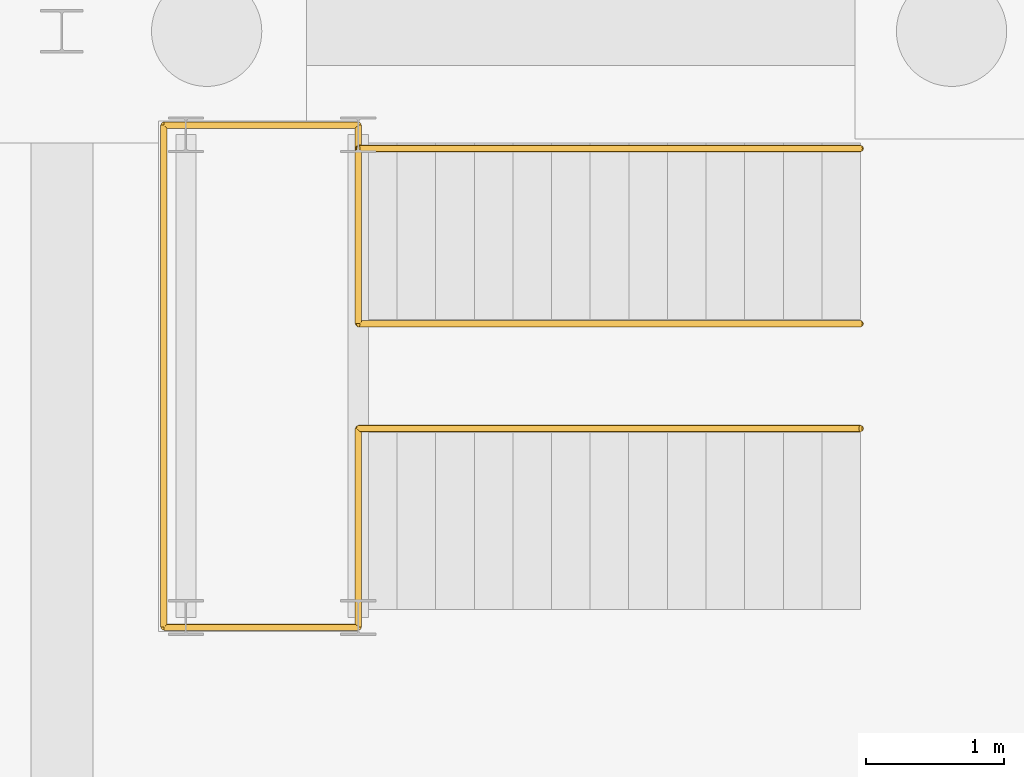
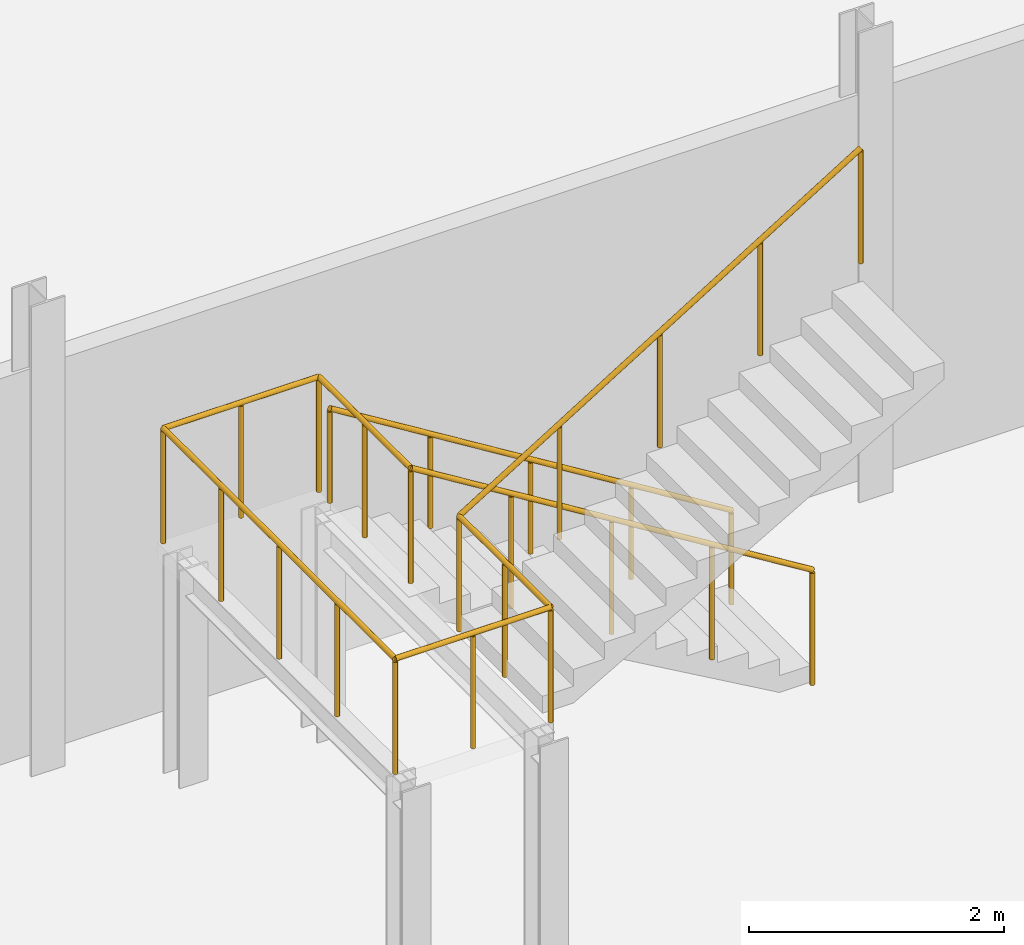
# One storey, part 134 of 136: 2 railings.
"""IFC4 building model written with IfcOpenShell, lengths in metres."""

from ifc_helpers import new_model, si_unit, direction, frame, origin, origin_2d, place, context, subcontext, project, spatial, circle, extrude, material, type_object, element, save


model = new_model("IFC4")

# Units and contexts
model_context = context("Model", 3, precision=1e-05, world=origin(), true_north=direction((0.0, 1.0)))
body_context = subcontext(model_context, "Body", "Model", "MODEL_VIEW")
ifc_project = project(units=[si_unit("LENGTHUNIT", "METRE"), si_unit("AREAUNIT", "SQUARE_METRE"), si_unit("VOLUMEUNIT", "CUBIC_METRE"), si_unit("PLANEANGLEUNIT", "RADIAN"), si_unit("MASSUNIT", "GRAM", prefix="KILO")], contexts=[model_context])

# Site, building, storey
site_placement = place(None, origin())
site = spatial("IfcSite", under=ifc_project, at=site_placement, CompositionType="ELEMENT")
building_placement = place(site_placement, origin())
building = spatial("IfcBuilding", under=site, at=building_placement, Name="Solvenia Promenade Tram Depot", CompositionType="ELEMENT")
storey_placement = place(building_placement, origin())
storey = spatial("IfcBuildingStorey", under=building, at=storey_placement, Name="L00", CompositionType="ELEMENT", Elevation=0.0)

# Railings
ifc_material = material(Name="Anodized aluminium AW-6063 T6", Category="aluminium")
railing_type_1 = type_object("IfcRailingType", Name="Guard-Stair-1100", PredefinedType="GUARDRAIL", material=ifc_material)
railing_1_placement = place(storey_placement, frame((133.2900390625, 75.8798828125, 0.0)))
element("IfcRailing", 1, at=railing_1_placement, inside=storey, type_object=railing_type_1, Name="Gallery Flight and Half-Landing Guard ST-GAL-02", PredefinedType="GUARDRAIL", context=body_context, shape_type="SweptSolid", body=[
    extrude(circle(Radius=0.02392578125, at=origin_2d()), frame((0.0, 0.0, 1.09619140625), z_axis=(-0.850622404505, 0.0, 0.525777067734), x_axis=(0.0, -1.0, 0.0)), (0.0, 0.0, 1.0), 4.279296875),
    extrude(circle(Radius=0.02392578125, at=origin_2d()), frame((-3.64013671875, 0.0, 3.34619140625), z_axis=(0.0, 1.0, 0.0), x_axis=(-1.0, 0.0, 0.0)), (0.0, 0.0, 1.0), 1.440185546875),
    extrude(circle(Radius=0.02392578125, at=origin_2d()), frame((-3.64013671875, 1.440185546875, 3.34619140625), z_axis=(-1.0, 0.0, 0.0), x_axis=(0.0, -1.0, 0.0)), (0.0, 0.0, 1.0), 1.409912109375),
    extrude(circle(Radius=0.02392578125, at=origin_2d()), frame((-5.050048828125, 1.440185546875, 3.34619140625), z_axis=(0.0, -1.0, 0.0), x_axis=(1.0, 0.0, 0.0)), (0.0, 0.0, 1.0), 3.64013671875),
    extrude(circle(Radius=0.02392578125, at=origin_2d()), frame((-5.050048828125, -2.199951171875, 3.34619140625), z_axis=(1.0, 0.0, 0.0), x_axis=(0.0, 1.0, 0.0)), (0.0, 0.0, 1.0), 1.409912109375),
    extrude(circle(Radius=0.02392578125, at=origin_2d()), frame((-3.64013671875, -2.199951171875, 3.34619140625), z_axis=(0.0, 1.0, 0.0), x_axis=(-1.0, 0.0, 0.0)), (0.0, 0.0, 1.0), 1.440185546875),
    extrude(circle(Radius=0.02392578125, at=origin_2d()), frame((-3.64013671875, -0.759765625, 3.34619140625), z_axis=(0.850622404505, 0.0, 0.525777067734), x_axis=(0.0, 1.0, 0.0)), (0.0, 0.0, 1.0), 4.279296875),
    extrude(circle(Radius=0.02099609375, at=origin_2d()), origin(), (0.0, 0.0, 1.0), 1.072021484375),
    extrude(circle(Radius=0.02099609375, at=origin_2d()), frame((-0.91015625, 0.0, 0.5625)), (0.0, 0.0, 1.0), 1.072021484375),
    extrude(circle(Radius=0.02099609375, at=origin_2d()), frame((-1.820068359375, 0.0, 1.125)), (0.0, 0.0, 1.0), 1.072021484375),
    extrude(circle(Radius=0.02099609375, at=origin_2d()), frame((-2.72998046875, 0.0, 1.6875)), (0.0, 0.0, 1.0), 1.072021484375),
    extrude(circle(Radius=0.02099609375, at=origin_2d()), frame((-3.64013671875, 0.0, 2.25)), (0.0, 0.0, 1.0), 1.072021484375),
    extrude(circle(Radius=0.02099609375, at=origin_2d()), frame((-3.64013671875, 0.72021484375, 2.25)), (0.0, 0.0, 1.0), 1.072021484375),
    extrude(circle(Radius=0.02099609375, at=origin_2d()), frame((-3.64013671875, 1.440185546875, 2.25)), (0.0, 0.0, 1.0), 1.072021484375),
    extrude(circle(Radius=0.02099609375, at=origin_2d()), frame((-4.34521484375, 1.440185546875, 2.25)), (0.0, 0.0, 1.0), 1.072021484375),
    extrude(circle(Radius=0.02099609375, at=origin_2d()), frame((-5.050048828125, 1.440185546875, 2.25)), (0.0, 0.0, 1.0), 1.072021484375),
    extrude(circle(Radius=0.02099609375, at=origin_2d()), frame((-5.050048828125, 0.5302734375, 2.25)), (0.0, 0.0, 1.0), 1.072021484375),
    extrude(circle(Radius=0.02099609375, at=origin_2d()), frame((-5.050048828125, -0.3798828125, 2.25)), (0.0, 0.0, 1.0), 1.072021484375),
    extrude(circle(Radius=0.02099609375, at=origin_2d()), frame((-5.050048828125, -1.2900390625, 2.25)), (0.0, 0.0, 1.0), 1.072021484375),
    extrude(circle(Radius=0.02099609375, at=origin_2d()), frame((-5.050048828125, -2.199951171875, 2.25)), (0.0, 0.0, 1.0), 1.072021484375),
    extrude(circle(Radius=0.02099609375, at=origin_2d()), frame((-4.34521484375, -2.199951171875, 2.25)), (0.0, 0.0, 1.0), 1.072021484375),
    extrude(circle(Radius=0.02099609375, at=origin_2d()), frame((-3.64013671875, -2.199951171875, 2.25)), (0.0, 0.0, 1.0), 1.072021484375),
    extrude(circle(Radius=0.02099609375, at=origin_2d()), frame((-3.64013671875, -1.47998046875, 2.25)), (0.0, 0.0, 1.0), 1.072021484375),
    extrude(circle(Radius=0.02099609375, at=origin_2d()), frame((-3.64013671875, -0.759765625, 2.25)), (0.0, 0.0, 1.0), 1.072021484375),
    extrude(circle(Radius=0.02099609375, at=origin_2d()), frame((-2.72998046875, -0.759765625, 2.8125)), (0.0, 0.0, 1.0), 1.072021484375),
    extrude(circle(Radius=0.02099609375, at=origin_2d()), frame((-1.820068359375, -0.759765625, 3.375)), (0.0, 0.0, 1.0), 1.072021484375),
    extrude(circle(Radius=0.02099609375, at=origin_2d()), frame((-0.91015625, -0.759765625, 3.9375)), (0.0, 0.0, 1.0), 1.072021484375),
    extrude(circle(Radius=0.02099609375, at=origin_2d()), frame((0.0, -0.759765625, 4.5)), (0.0, 0.0, 1.0), 1.072021484375),
])
railing_type_2 = type_object("IfcRailingType", Name="Handrail-Stair-920", PredefinedType="HANDRAIL", material=ifc_material)
railing_2_placement = place(storey_placement, frame((133.2900390625, 77.14990234375, 0.0)))
element("IfcRailing", 2, at=railing_2_placement, inside=storey, type_object=railing_type_2, Name="Gallery Stair Outer Handrail ST-GAL-02", PredefinedType="HANDRAIL", context=body_context, shape_type="SweptSolid", body=[
    extrude(circle(Radius=0.02392578125, at=origin_2d()), frame((0.0, 0.0, 0.89599609375), z_axis=(-0.850622404505, 0.0, 0.525777067734), x_axis=(0.0, -1.0, 0.0)), (0.0, 0.0, 1.0), 4.279296875),
    extrude(circle(Radius=0.02099609375, at=origin_2d()), origin(), (0.0, 0.0, 1.0), 0.871826171875),
    extrude(circle(Radius=0.02099609375, at=origin_2d()), frame((-0.91015625, 0.0, 0.5625)), (0.0, 0.0, 1.0), 0.871826171875),
    extrude(circle(Radius=0.02099609375, at=origin_2d()), frame((-1.820068359375, 0.0, 1.125)), (0.0, 0.0, 1.0), 0.871826171875),
    extrude(circle(Radius=0.02099609375, at=origin_2d()), frame((-2.72998046875, 0.0, 1.6875)), (0.0, 0.0, 1.0), 0.871826171875),
    extrude(circle(Radius=0.02099609375, at=origin_2d()), frame((-3.64013671875, 0.0, 2.25)), (0.0, 0.0, 1.0), 0.871826171875),
])

save(model, "model.ifc")
